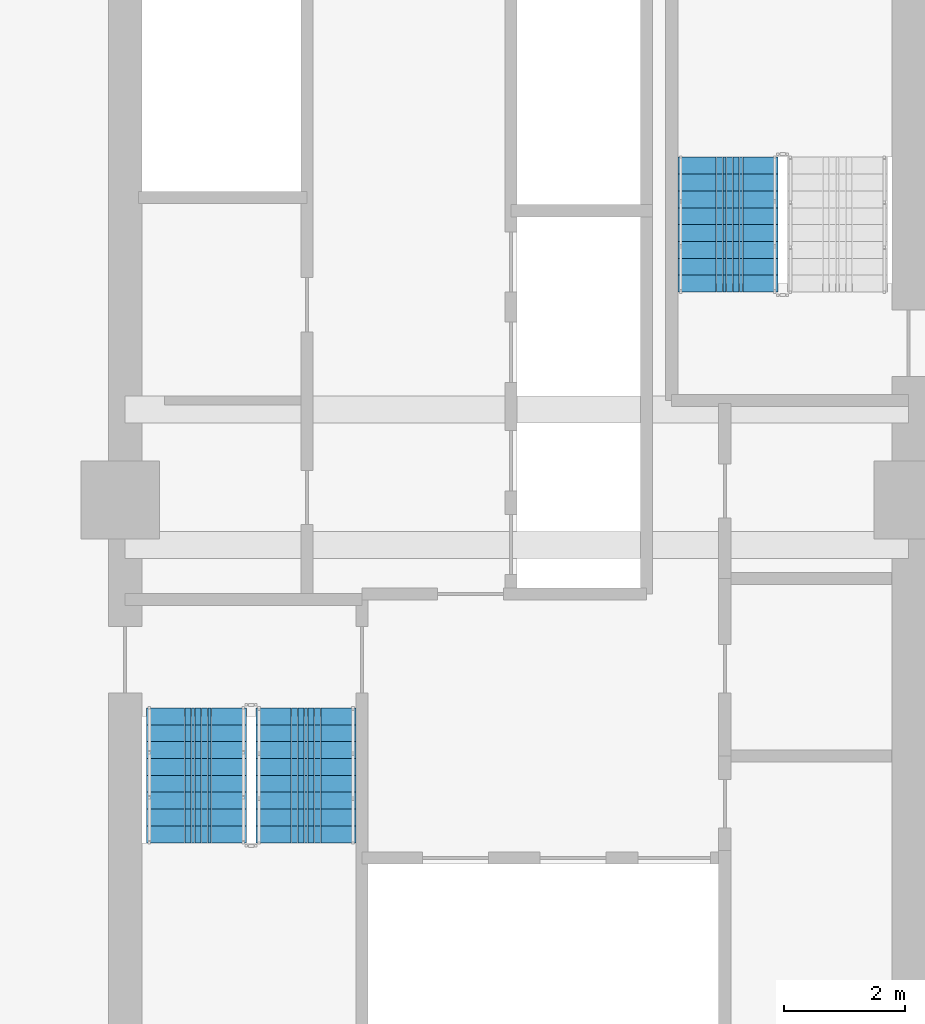
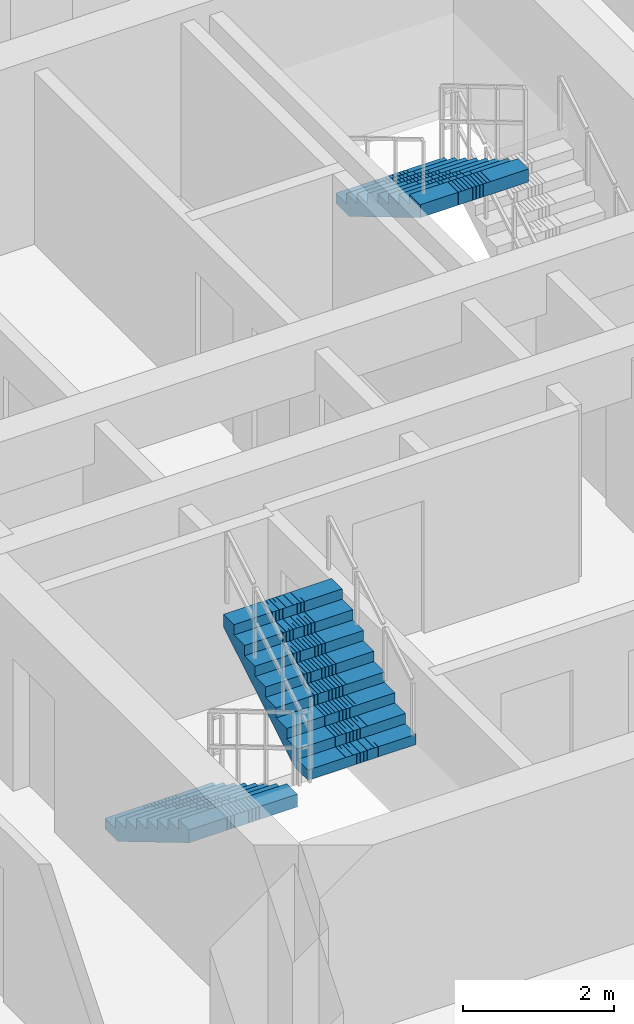
# One storey, part 7 of 12: 3 stair flights, 2 elements without a shape of their own.
"""IFC4 building model written with IfcOpenShell, lengths in metres."""

from ifc_helpers import new_model, si_unit, direction, frame, origin, place, context, subcontext, project, spatial, polyline, outline, extrude, material, type_object, element, aggregate, save


model = new_model("IFC4")

# Units and contexts
model_context = context("Model", 3, precision=1e-05, world=origin(), true_north=direction((0.0, 1.0)))
body_context = subcontext(model_context, "Body", "Model", "MODEL_VIEW")
ifc_project = project(units=[si_unit("LENGTHUNIT", "METRE"), si_unit("AREAUNIT", "SQUARE_METRE"), si_unit("VOLUMEUNIT", "CUBIC_METRE"), si_unit("PLANEANGLEUNIT", "RADIAN"), si_unit("MASSUNIT", "GRAM", prefix="KILO")], contexts=[model_context])

# Site, building, storey
site_placement = place(None, origin())
site = spatial("IfcSite", under=ifc_project, at=site_placement, CompositionType="ELEMENT")
building_placement = place(site_placement, origin())
building = spatial("IfcBuilding", under=site, at=building_placement, Name="Saelheon Loggia Tower", CompositionType="ELEMENT")
storey_placement = place(building_placement, frame((0.0, 0.0, 101.85009765625)))
storey = spatial("IfcBuildingStorey", under=building, at=storey_placement, Name="L32", CompositionType="ELEMENT", Elevation=101.85009765625)

# Stair, stair flights
ifc_material = material(Name="Concrete C40/50", Category="concrete")
stair_type = type_object("IfcStairType", Name="Stair_Escape_Core", PredefinedType="HALF_TURN_STAIR", material=ifc_material)
stair_1_placement = place(storey_placement, origin())
stair_1 = element("IfcStair", 1, at=stair_1_placement, inside=storey, type_object=stair_type, Name="L32 Special Escape Stair ST1", PredefinedType="HALF_TURN_STAIR")
stair_flight_type = type_object("IfcStairFlightType", Name="StairFlight_Tower_1660", PredefinedType="STRAIGHT", material=ifc_material)
stair_flight_1_placement = place(storey_placement, frame((32.679931640625, 23.550048828125, 0.0), z_axis=(0.0, 0.0, 1.0), x_axis=(0.0, -1.0, 0.0)))
stair_flight_1 = element("IfcStairFlight", 2, at=stair_flight_1_placement, type_object=stair_flight_type, Name="ST1 flight 1", NumberOfRisers=9, NumberOfTreads=8, PredefinedType="STRAIGHT", RiserHeight=0.166666667, TreadLength=0.28, context=body_context, shape_type="SweptSolid", body=[
    extrude(outline(polyline([(0.0, 0.0), (0.0, 0.166748046875), (0.280029296875, 0.166748046875), (0.280029296875, 0.333251953125), (0.56005859375, 0.333251953125), (0.56005859375, 0.5), (0.840087890625, 0.5), (0.840087890625, 0.666748046875), (1.1201171875, 0.666748046875), (1.1201171875, 0.833251953125), (1.39990234375, 0.833251953125), (1.39990234375, 1.0), (1.679931640625, 1.0), (1.679931640625, 1.166748046875), (1.9599609375, 1.166748046875), (1.9599609375, 1.333251953125), (2.239990234375, 1.333251953125), (2.239990234375, 1.5), (2.239990234375, 1.1240234375), (0.351806640625, 0.0), (0.0, 0.0)])), frame((0.0, -0.2490234375, 0.0), z_axis=(0.0, -1.0, 0.0), x_axis=(1.0, 0.0, 0.0)), (0.0, 0.0, 1.0), 0.5810546875),
    extrude(outline(polyline([(0.0, 0.0), (0.0, 0.166748046875), (0.280029296875, 0.166748046875), (0.280029296875, 0.333251953125), (0.56005859375, 0.333251953125), (0.56005859375, 0.5), (0.840087890625, 0.5), (0.840087890625, 0.666748046875), (1.1201171875, 0.666748046875), (1.1201171875, 0.833251953125), (1.39990234375, 0.833251953125), (1.39990234375, 1.0), (1.679931640625, 1.0), (1.679931640625, 1.166748046875), (1.9599609375, 1.166748046875), (1.9599609375, 1.333251953125), (2.239990234375, 1.333251953125), (2.239990234375, 1.5), (2.239990234375, 1.1240234375), (0.351806640625, 0.0), (0.0, 0.0)])), frame((0.0, -0.194091796875, 0.0), z_axis=(0.0, -1.0, 0.0), x_axis=(1.0, 0.0, 0.0)), (0.0, 0.0, 1.0), 0.0498046875),
    extrude(outline(polyline([(0.0, 0.0), (0.0, 0.166748046875), (0.280029296875, 0.166748046875), (0.280029296875, 0.333251953125), (0.56005859375, 0.333251953125), (0.56005859375, 0.5), (0.840087890625, 0.5), (0.840087890625, 0.666748046875), (1.1201171875, 0.666748046875), (1.1201171875, 0.833251953125), (1.39990234375, 0.833251953125), (1.39990234375, 1.0), (1.679931640625, 1.0), (1.679931640625, 1.166748046875), (1.9599609375, 1.166748046875), (1.9599609375, 1.333251953125), (2.239990234375, 1.333251953125), (2.239990234375, 1.5), (2.239990234375, 1.1240234375), (0.351806640625, 0.0), (0.0, 0.0)])), frame((0.0, -0.139404296875, 0.0), z_axis=(0.0, -1.0, 0.0), x_axis=(1.0, 0.0, 0.0)), (0.0, 0.0, 1.0), 0.0498046875),
    extrude(outline(polyline([(0.0, 0.0), (0.0, 0.166748046875), (0.280029296875, 0.166748046875), (0.280029296875, 0.333251953125), (0.56005859375, 0.333251953125), (0.56005859375, 0.5), (0.840087890625, 0.5), (0.840087890625, 0.666748046875), (1.1201171875, 0.666748046875), (1.1201171875, 0.833251953125), (1.39990234375, 0.833251953125), (1.39990234375, 1.0), (1.679931640625, 1.0), (1.679931640625, 1.166748046875), (1.9599609375, 1.166748046875), (1.9599609375, 1.333251953125), (2.239990234375, 1.333251953125), (2.239990234375, 1.5), (2.239990234375, 1.1240234375), (0.351806640625, 0.0), (0.0, 0.0)])), frame((0.0, -0.084716796875, 0.0), z_axis=(0.0, -1.0, 0.0), x_axis=(1.0, 0.0, 0.0)), (0.0, 0.0, 1.0), 0.0498046875),
    extrude(outline(polyline([(0.0, 0.0), (0.0, 0.166748046875), (0.280029296875, 0.166748046875), (0.280029296875, 0.333251953125), (0.56005859375, 0.333251953125), (0.56005859375, 0.5), (0.840087890625, 0.5), (0.840087890625, 0.666748046875), (1.1201171875, 0.666748046875), (1.1201171875, 0.833251953125), (1.39990234375, 0.833251953125), (1.39990234375, 1.0), (1.679931640625, 1.0), (1.679931640625, 1.166748046875), (1.9599609375, 1.166748046875), (1.9599609375, 1.333251953125), (2.239990234375, 1.333251953125), (2.239990234375, 1.5), (2.239990234375, 1.1240234375), (0.351806640625, 0.0), (0.0, 0.0)])), frame((0.0, -0.02978515625, 0.0), z_axis=(0.0, -1.0, 0.0), x_axis=(1.0, 0.0, 0.0)), (0.0, 0.0, 1.0), 0.0498046875),
    extrude(outline(polyline([(0.0, 0.0), (0.0, 0.166748046875), (0.280029296875, 0.166748046875), (0.280029296875, 0.333251953125), (0.56005859375, 0.333251953125), (0.56005859375, 0.5), (0.840087890625, 0.5), (0.840087890625, 0.666748046875), (1.1201171875, 0.666748046875), (1.1201171875, 0.833251953125), (1.39990234375, 0.833251953125), (1.39990234375, 1.0), (1.679931640625, 1.0), (1.679931640625, 1.166748046875), (1.9599609375, 1.166748046875), (1.9599609375, 1.333251953125), (2.239990234375, 1.333251953125), (2.239990234375, 1.5), (2.239990234375, 1.1240234375), (0.351806640625, 0.0), (0.0, 0.0)])), frame((0.0, 0.02490234375, 0.0), z_axis=(0.0, -1.0, 0.0), x_axis=(1.0, 0.0, 0.0)), (0.0, 0.0, 1.0), 0.0498046875),
    extrude(outline(polyline([(0.0, 0.0), (0.0, 0.166748046875), (0.280029296875, 0.166748046875), (0.280029296875, 0.333251953125), (0.56005859375, 0.333251953125), (0.56005859375, 0.5), (0.840087890625, 0.5), (0.840087890625, 0.666748046875), (1.1201171875, 0.666748046875), (1.1201171875, 0.833251953125), (1.39990234375, 0.833251953125), (1.39990234375, 1.0), (1.679931640625, 1.0), (1.679931640625, 1.166748046875), (1.9599609375, 1.166748046875), (1.9599609375, 1.333251953125), (2.239990234375, 1.333251953125), (2.239990234375, 1.5), (2.239990234375, 1.1240234375), (0.351806640625, 0.0), (0.0, 0.0)])), frame((0.0, 0.07958984375, 0.0), z_axis=(0.0, -1.0, 0.0), x_axis=(1.0, 0.0, 0.0)), (0.0, 0.0, 1.0), 0.0498046875),
    extrude(outline(polyline([(0.0, 0.0), (0.0, 0.166748046875), (0.280029296875, 0.166748046875), (0.280029296875, 0.333251953125), (0.56005859375, 0.333251953125), (0.56005859375, 0.5), (0.840087890625, 0.5), (0.840087890625, 0.666748046875), (1.1201171875, 0.666748046875), (1.1201171875, 0.833251953125), (1.39990234375, 0.833251953125), (1.39990234375, 1.0), (1.679931640625, 1.0), (1.679931640625, 1.166748046875), (1.9599609375, 1.166748046875), (1.9599609375, 1.333251953125), (2.239990234375, 1.333251953125), (2.239990234375, 1.5), (2.239990234375, 1.1240234375), (0.351806640625, 0.0), (0.0, 0.0)])), frame((0.0, 0.134521484375, 0.0), z_axis=(0.0, -1.0, 0.0), x_axis=(1.0, 0.0, 0.0)), (0.0, 0.0, 1.0), 0.0498046875),
    extrude(outline(polyline([(0.0, 0.0), (0.0, 0.166748046875), (0.280029296875, 0.166748046875), (0.280029296875, 0.333251953125), (0.56005859375, 0.333251953125), (0.56005859375, 0.5), (0.840087890625, 0.5), (0.840087890625, 0.666748046875), (1.1201171875, 0.666748046875), (1.1201171875, 0.833251953125), (1.39990234375, 0.833251953125), (1.39990234375, 1.0), (1.679931640625, 1.0), (1.679931640625, 1.166748046875), (1.9599609375, 1.166748046875), (1.9599609375, 1.333251953125), (2.239990234375, 1.333251953125), (2.239990234375, 1.5), (2.239990234375, 1.1240234375), (0.351806640625, 0.0), (0.0, 0.0)])), frame((0.0, 0.189208984375, 0.0), z_axis=(0.0, -1.0, 0.0), x_axis=(1.0, 0.0, 0.0)), (0.0, 0.0, 1.0), 0.0498046875),
    extrude(outline(polyline([(0.0, 0.0), (0.0, 0.166748046875), (0.280029296875, 0.166748046875), (0.280029296875, 0.333251953125), (0.56005859375, 0.333251953125), (0.56005859375, 0.5), (0.840087890625, 0.5), (0.840087890625, 0.666748046875), (1.1201171875, 0.666748046875), (1.1201171875, 0.833251953125), (1.39990234375, 0.833251953125), (1.39990234375, 1.0), (1.679931640625, 1.0), (1.679931640625, 1.166748046875), (1.9599609375, 1.166748046875), (1.9599609375, 1.333251953125), (2.239990234375, 1.333251953125), (2.239990234375, 1.5), (2.239990234375, 1.1240234375), (0.351806640625, 0.0), (0.0, 0.0)])), frame((0.0, 0.243896484375, 0.0), z_axis=(0.0, -1.0, 0.0), x_axis=(1.0, 0.0, 0.0)), (0.0, 0.0, 1.0), 0.0498046875),
    extrude(outline(polyline([(0.0, 0.0), (0.0, 0.166748046875), (0.280029296875, 0.166748046875), (0.280029296875, 0.333251953125), (0.56005859375, 0.333251953125), (0.56005859375, 0.5), (0.840087890625, 0.5), (0.840087890625, 0.666748046875), (1.1201171875, 0.666748046875), (1.1201171875, 0.833251953125), (1.39990234375, 0.833251953125), (1.39990234375, 1.0), (1.679931640625, 1.0), (1.679931640625, 1.166748046875), (1.9599609375, 1.166748046875), (1.9599609375, 1.333251953125), (2.239990234375, 1.333251953125), (2.239990234375, 1.5), (2.239990234375, 1.1240234375), (0.351806640625, 0.0), (0.0, 0.0)])), frame((0.0, 0.830078125, 0.0), z_axis=(0.0, -1.0, 0.0), x_axis=(1.0, 0.0, 0.0)), (0.0, 0.0, 1.0), 0.5810546875),
])
stair_flight_2_placement = place(storey_placement, frame((34.5, 21.31005859375, 1.5), z_axis=(0.0, 0.0, 1.0), x_axis=(0.0, 1.0, 0.0)))
stair_flight_2 = element("IfcStairFlight", 3, at=stair_flight_2_placement, type_object=stair_flight_type, Name="ST1 flight 2", NumberOfRisers=9, NumberOfTreads=8, PredefinedType="STRAIGHT", RiserHeight=0.166666667, TreadLength=0.28, context=body_context, shape_type="SweptSolid", body=[
    extrude(outline(polyline([(0.0, 0.0), (0.0, 0.166748046875), (0.280029296875, 0.166748046875), (0.280029296875, 0.333251953125), (0.56005859375, 0.333251953125), (0.56005859375, 0.5), (0.840087890625, 0.5), (0.840087890625, 0.666748046875), (1.1201171875, 0.666748046875), (1.1201171875, 0.833251953125), (1.39990234375, 0.833251953125), (1.39990234375, 1.0), (1.679931640625, 1.0), (1.679931640625, 1.166748046875), (1.9599609375, 1.166748046875), (1.9599609375, 1.333251953125), (2.239990234375, 1.333251953125), (2.239990234375, 1.5), (2.239990234375, 1.1240234375), (0.351806640625, 0.0), (0.0, 0.0)])), frame((0.0, -0.2490234375, 0.0), z_axis=(0.0, -1.0, 0.0), x_axis=(1.0, 0.0, 0.0)), (0.0, 0.0, 1.0), 0.5810546875),
    extrude(outline(polyline([(0.0, 0.0), (0.0, 0.166748046875), (0.280029296875, 0.166748046875), (0.280029296875, 0.333251953125), (0.56005859375, 0.333251953125), (0.56005859375, 0.5), (0.840087890625, 0.5), (0.840087890625, 0.666748046875), (1.1201171875, 0.666748046875), (1.1201171875, 0.833251953125), (1.39990234375, 0.833251953125), (1.39990234375, 1.0), (1.679931640625, 1.0), (1.679931640625, 1.166748046875), (1.9599609375, 1.166748046875), (1.9599609375, 1.333251953125), (2.239990234375, 1.333251953125), (2.239990234375, 1.5), (2.239990234375, 1.1240234375), (0.351806640625, 0.0), (0.0, 0.0)])), frame((0.0, -0.194091796875, 0.0), z_axis=(0.0, -1.0, 0.0), x_axis=(1.0, 0.0, 0.0)), (0.0, 0.0, 1.0), 0.0498046875),
    extrude(outline(polyline([(0.0, 0.0), (0.0, 0.166748046875), (0.280029296875, 0.166748046875), (0.280029296875, 0.333251953125), (0.56005859375, 0.333251953125), (0.56005859375, 0.5), (0.840087890625, 0.5), (0.840087890625, 0.666748046875), (1.1201171875, 0.666748046875), (1.1201171875, 0.833251953125), (1.39990234375, 0.833251953125), (1.39990234375, 1.0), (1.679931640625, 1.0), (1.679931640625, 1.166748046875), (1.9599609375, 1.166748046875), (1.9599609375, 1.333251953125), (2.239990234375, 1.333251953125), (2.239990234375, 1.5), (2.239990234375, 1.1240234375), (0.351806640625, 0.0), (0.0, 0.0)])), frame((0.0, -0.139404296875, 0.0), z_axis=(0.0, -1.0, 0.0), x_axis=(1.0, 0.0, 0.0)), (0.0, 0.0, 1.0), 0.0498046875),
    extrude(outline(polyline([(0.0, 0.0), (0.0, 0.166748046875), (0.280029296875, 0.166748046875), (0.280029296875, 0.333251953125), (0.56005859375, 0.333251953125), (0.56005859375, 0.5), (0.840087890625, 0.5), (0.840087890625, 0.666748046875), (1.1201171875, 0.666748046875), (1.1201171875, 0.833251953125), (1.39990234375, 0.833251953125), (1.39990234375, 1.0), (1.679931640625, 1.0), (1.679931640625, 1.166748046875), (1.9599609375, 1.166748046875), (1.9599609375, 1.333251953125), (2.239990234375, 1.333251953125), (2.239990234375, 1.5), (2.239990234375, 1.1240234375), (0.351806640625, 0.0), (0.0, 0.0)])), frame((0.0, -0.084716796875, 0.0), z_axis=(0.0, -1.0, 0.0), x_axis=(1.0, 0.0, 0.0)), (0.0, 0.0, 1.0), 0.0498046875),
    extrude(outline(polyline([(0.0, 0.0), (0.0, 0.166748046875), (0.280029296875, 0.166748046875), (0.280029296875, 0.333251953125), (0.56005859375, 0.333251953125), (0.56005859375, 0.5), (0.840087890625, 0.5), (0.840087890625, 0.666748046875), (1.1201171875, 0.666748046875), (1.1201171875, 0.833251953125), (1.39990234375, 0.833251953125), (1.39990234375, 1.0), (1.679931640625, 1.0), (1.679931640625, 1.166748046875), (1.9599609375, 1.166748046875), (1.9599609375, 1.333251953125), (2.239990234375, 1.333251953125), (2.239990234375, 1.5), (2.239990234375, 1.1240234375), (0.351806640625, 0.0), (0.0, 0.0)])), frame((0.0, -0.02978515625, 0.0), z_axis=(0.0, -1.0, 0.0), x_axis=(1.0, 0.0, 0.0)), (0.0, 0.0, 1.0), 0.0498046875),
    extrude(outline(polyline([(0.0, 0.0), (0.0, 0.166748046875), (0.280029296875, 0.166748046875), (0.280029296875, 0.333251953125), (0.56005859375, 0.333251953125), (0.56005859375, 0.5), (0.840087890625, 0.5), (0.840087890625, 0.666748046875), (1.1201171875, 0.666748046875), (1.1201171875, 0.833251953125), (1.39990234375, 0.833251953125), (1.39990234375, 1.0), (1.679931640625, 1.0), (1.679931640625, 1.166748046875), (1.9599609375, 1.166748046875), (1.9599609375, 1.333251953125), (2.239990234375, 1.333251953125), (2.239990234375, 1.5), (2.239990234375, 1.1240234375), (0.351806640625, 0.0), (0.0, 0.0)])), frame((0.0, 0.02490234375, 0.0), z_axis=(0.0, -1.0, 0.0), x_axis=(1.0, 0.0, 0.0)), (0.0, 0.0, 1.0), 0.0498046875),
    extrude(outline(polyline([(0.0, 0.0), (0.0, 0.166748046875), (0.280029296875, 0.166748046875), (0.280029296875, 0.333251953125), (0.56005859375, 0.333251953125), (0.56005859375, 0.5), (0.840087890625, 0.5), (0.840087890625, 0.666748046875), (1.1201171875, 0.666748046875), (1.1201171875, 0.833251953125), (1.39990234375, 0.833251953125), (1.39990234375, 1.0), (1.679931640625, 1.0), (1.679931640625, 1.166748046875), (1.9599609375, 1.166748046875), (1.9599609375, 1.333251953125), (2.239990234375, 1.333251953125), (2.239990234375, 1.5), (2.239990234375, 1.1240234375), (0.351806640625, 0.0), (0.0, 0.0)])), frame((0.0, 0.07958984375, 0.0), z_axis=(0.0, -1.0, 0.0), x_axis=(1.0, 0.0, 0.0)), (0.0, 0.0, 1.0), 0.0498046875),
    extrude(outline(polyline([(0.0, 0.0), (0.0, 0.166748046875), (0.280029296875, 0.166748046875), (0.280029296875, 0.333251953125), (0.56005859375, 0.333251953125), (0.56005859375, 0.5), (0.840087890625, 0.5), (0.840087890625, 0.666748046875), (1.1201171875, 0.666748046875), (1.1201171875, 0.833251953125), (1.39990234375, 0.833251953125), (1.39990234375, 1.0), (1.679931640625, 1.0), (1.679931640625, 1.166748046875), (1.9599609375, 1.166748046875), (1.9599609375, 1.333251953125), (2.239990234375, 1.333251953125), (2.239990234375, 1.5), (2.239990234375, 1.1240234375), (0.351806640625, 0.0), (0.0, 0.0)])), frame((0.0, 0.134521484375, 0.0), z_axis=(0.0, -1.0, 0.0), x_axis=(1.0, 0.0, 0.0)), (0.0, 0.0, 1.0), 0.0498046875),
    extrude(outline(polyline([(0.0, 0.0), (0.0, 0.166748046875), (0.280029296875, 0.166748046875), (0.280029296875, 0.333251953125), (0.56005859375, 0.333251953125), (0.56005859375, 0.5), (0.840087890625, 0.5), (0.840087890625, 0.666748046875), (1.1201171875, 0.666748046875), (1.1201171875, 0.833251953125), (1.39990234375, 0.833251953125), (1.39990234375, 1.0), (1.679931640625, 1.0), (1.679931640625, 1.166748046875), (1.9599609375, 1.166748046875), (1.9599609375, 1.333251953125), (2.239990234375, 1.333251953125), (2.239990234375, 1.5), (2.239990234375, 1.1240234375), (0.351806640625, 0.0), (0.0, 0.0)])), frame((0.0, 0.189208984375, 0.0), z_axis=(0.0, -1.0, 0.0), x_axis=(1.0, 0.0, 0.0)), (0.0, 0.0, 1.0), 0.0498046875),
    extrude(outline(polyline([(0.0, 0.0), (0.0, 0.166748046875), (0.280029296875, 0.166748046875), (0.280029296875, 0.333251953125), (0.56005859375, 0.333251953125), (0.56005859375, 0.5), (0.840087890625, 0.5), (0.840087890625, 0.666748046875), (1.1201171875, 0.666748046875), (1.1201171875, 0.833251953125), (1.39990234375, 0.833251953125), (1.39990234375, 1.0), (1.679931640625, 1.0), (1.679931640625, 1.166748046875), (1.9599609375, 1.166748046875), (1.9599609375, 1.333251953125), (2.239990234375, 1.333251953125), (2.239990234375, 1.5), (2.239990234375, 1.1240234375), (0.351806640625, 0.0), (0.0, 0.0)])), frame((0.0, 0.243896484375, 0.0), z_axis=(0.0, -1.0, 0.0), x_axis=(1.0, 0.0, 0.0)), (0.0, 0.0, 1.0), 0.0498046875),
    extrude(outline(polyline([(0.0, 0.0), (0.0, 0.166748046875), (0.280029296875, 0.166748046875), (0.280029296875, 0.333251953125), (0.56005859375, 0.333251953125), (0.56005859375, 0.5), (0.840087890625, 0.5), (0.840087890625, 0.666748046875), (1.1201171875, 0.666748046875), (1.1201171875, 0.833251953125), (1.39990234375, 0.833251953125), (1.39990234375, 1.0), (1.679931640625, 1.0), (1.679931640625, 1.166748046875), (1.9599609375, 1.166748046875), (1.9599609375, 1.333251953125), (2.239990234375, 1.333251953125), (2.239990234375, 1.5), (2.239990234375, 1.1240234375), (0.351806640625, 0.0), (0.0, 0.0)])), frame((0.0, 0.830078125, 0.0), z_axis=(0.0, -1.0, 0.0), x_axis=(1.0, 0.0, 0.0)), (0.0, 0.0, 1.0), 0.5810546875),
])
aggregate(stair_1, [stair_flight_1, stair_flight_2])

# Stair, stair flight
stair_2_placement = place(storey_placement, origin())
stair_2 = element("IfcStair", 4, at=stair_2_placement, inside=storey, type_object=stair_type, Name="L32 Special Escape Stair ST2", PredefinedType="HALF_TURN_STAIR")
stair_flight_3_placement = place(storey_placement, frame((41.5, 32.68994140625, 1.5), z_axis=(0.0, 0.0, 1.0), x_axis=(0.0, -1.0, 0.0)))
stair_flight_3 = element("IfcStairFlight", 5, at=stair_flight_3_placement, type_object=stair_flight_type, Name="ST2 flight 2", NumberOfRisers=9, NumberOfTreads=8, PredefinedType="STRAIGHT", RiserHeight=0.166666667, TreadLength=0.28, context=body_context, shape_type="SweptSolid", body=[
    extrude(outline(polyline([(0.0, 0.0), (0.0, 0.166748046875), (0.280029296875, 0.166748046875), (0.280029296875, 0.333251953125), (0.56005859375, 0.333251953125), (0.56005859375, 0.5), (0.840087890625, 0.5), (0.840087890625, 0.666748046875), (1.1201171875, 0.666748046875), (1.1201171875, 0.833251953125), (1.39990234375, 0.833251953125), (1.39990234375, 1.0), (1.679931640625, 1.0), (1.679931640625, 1.166748046875), (1.9599609375, 1.166748046875), (1.9599609375, 1.333251953125), (2.239990234375, 1.333251953125), (2.239990234375, 1.5), (2.239990234375, 1.1240234375), (0.351806640625, 0.0), (0.0, 0.0)])), frame((0.0, -0.2490234375, 0.0), z_axis=(0.0, -1.0, 0.0), x_axis=(1.0, 0.0, 0.0)), (0.0, 0.0, 1.0), 0.5810546875),
    extrude(outline(polyline([(0.0, 0.0), (0.0, 0.166748046875), (0.280029296875, 0.166748046875), (0.280029296875, 0.333251953125), (0.56005859375, 0.333251953125), (0.56005859375, 0.5), (0.840087890625, 0.5), (0.840087890625, 0.666748046875), (1.1201171875, 0.666748046875), (1.1201171875, 0.833251953125), (1.39990234375, 0.833251953125), (1.39990234375, 1.0), (1.679931640625, 1.0), (1.679931640625, 1.166748046875), (1.9599609375, 1.166748046875), (1.9599609375, 1.333251953125), (2.239990234375, 1.333251953125), (2.239990234375, 1.5), (2.239990234375, 1.1240234375), (0.351806640625, 0.0), (0.0, 0.0)])), frame((0.0, -0.194091796875, 0.0), z_axis=(0.0, -1.0, 0.0), x_axis=(1.0, 0.0, 0.0)), (0.0, 0.0, 1.0), 0.0498046875),
    extrude(outline(polyline([(0.0, 0.0), (0.0, 0.166748046875), (0.280029296875, 0.166748046875), (0.280029296875, 0.333251953125), (0.56005859375, 0.333251953125), (0.56005859375, 0.5), (0.840087890625, 0.5), (0.840087890625, 0.666748046875), (1.1201171875, 0.666748046875), (1.1201171875, 0.833251953125), (1.39990234375, 0.833251953125), (1.39990234375, 1.0), (1.679931640625, 1.0), (1.679931640625, 1.166748046875), (1.9599609375, 1.166748046875), (1.9599609375, 1.333251953125), (2.239990234375, 1.333251953125), (2.239990234375, 1.5), (2.239990234375, 1.1240234375), (0.351806640625, 0.0), (0.0, 0.0)])), frame((0.0, -0.139404296875, 0.0), z_axis=(0.0, -1.0, 0.0), x_axis=(1.0, 0.0, 0.0)), (0.0, 0.0, 1.0), 0.0498046875),
    extrude(outline(polyline([(0.0, 0.0), (0.0, 0.166748046875), (0.280029296875, 0.166748046875), (0.280029296875, 0.333251953125), (0.56005859375, 0.333251953125), (0.56005859375, 0.5), (0.840087890625, 0.5), (0.840087890625, 0.666748046875), (1.1201171875, 0.666748046875), (1.1201171875, 0.833251953125), (1.39990234375, 0.833251953125), (1.39990234375, 1.0), (1.679931640625, 1.0), (1.679931640625, 1.166748046875), (1.9599609375, 1.166748046875), (1.9599609375, 1.333251953125), (2.239990234375, 1.333251953125), (2.239990234375, 1.5), (2.239990234375, 1.1240234375), (0.351806640625, 0.0), (0.0, 0.0)])), frame((0.0, -0.084716796875, 0.0), z_axis=(0.0, -1.0, 0.0), x_axis=(1.0, 0.0, 0.0)), (0.0, 0.0, 1.0), 0.0498046875),
    extrude(outline(polyline([(0.0, 0.0), (0.0, 0.166748046875), (0.280029296875, 0.166748046875), (0.280029296875, 0.333251953125), (0.56005859375, 0.333251953125), (0.56005859375, 0.5), (0.840087890625, 0.5), (0.840087890625, 0.666748046875), (1.1201171875, 0.666748046875), (1.1201171875, 0.833251953125), (1.39990234375, 0.833251953125), (1.39990234375, 1.0), (1.679931640625, 1.0), (1.679931640625, 1.166748046875), (1.9599609375, 1.166748046875), (1.9599609375, 1.333251953125), (2.239990234375, 1.333251953125), (2.239990234375, 1.5), (2.239990234375, 1.1240234375), (0.351806640625, 0.0), (0.0, 0.0)])), frame((0.0, -0.02978515625, 0.0), z_axis=(0.0, -1.0, 0.0), x_axis=(1.0, 0.0, 0.0)), (0.0, 0.0, 1.0), 0.0498046875),
    extrude(outline(polyline([(0.0, 0.0), (0.0, 0.166748046875), (0.280029296875, 0.166748046875), (0.280029296875, 0.333251953125), (0.56005859375, 0.333251953125), (0.56005859375, 0.5), (0.840087890625, 0.5), (0.840087890625, 0.666748046875), (1.1201171875, 0.666748046875), (1.1201171875, 0.833251953125), (1.39990234375, 0.833251953125), (1.39990234375, 1.0), (1.679931640625, 1.0), (1.679931640625, 1.166748046875), (1.9599609375, 1.166748046875), (1.9599609375, 1.333251953125), (2.239990234375, 1.333251953125), (2.239990234375, 1.5), (2.239990234375, 1.1240234375), (0.351806640625, 0.0), (0.0, 0.0)])), frame((0.0, 0.02490234375, 0.0), z_axis=(0.0, -1.0, 0.0), x_axis=(1.0, 0.0, 0.0)), (0.0, 0.0, 1.0), 0.0498046875),
    extrude(outline(polyline([(0.0, 0.0), (0.0, 0.166748046875), (0.280029296875, 0.166748046875), (0.280029296875, 0.333251953125), (0.56005859375, 0.333251953125), (0.56005859375, 0.5), (0.840087890625, 0.5), (0.840087890625, 0.666748046875), (1.1201171875, 0.666748046875), (1.1201171875, 0.833251953125), (1.39990234375, 0.833251953125), (1.39990234375, 1.0), (1.679931640625, 1.0), (1.679931640625, 1.166748046875), (1.9599609375, 1.166748046875), (1.9599609375, 1.333251953125), (2.239990234375, 1.333251953125), (2.239990234375, 1.5), (2.239990234375, 1.1240234375), (0.351806640625, 0.0), (0.0, 0.0)])), frame((0.0, 0.07958984375, 0.0), z_axis=(0.0, -1.0, 0.0), x_axis=(1.0, 0.0, 0.0)), (0.0, 0.0, 1.0), 0.0498046875),
    extrude(outline(polyline([(0.0, 0.0), (0.0, 0.166748046875), (0.280029296875, 0.166748046875), (0.280029296875, 0.333251953125), (0.56005859375, 0.333251953125), (0.56005859375, 0.5), (0.840087890625, 0.5), (0.840087890625, 0.666748046875), (1.1201171875, 0.666748046875), (1.1201171875, 0.833251953125), (1.39990234375, 0.833251953125), (1.39990234375, 1.0), (1.679931640625, 1.0), (1.679931640625, 1.166748046875), (1.9599609375, 1.166748046875), (1.9599609375, 1.333251953125), (2.239990234375, 1.333251953125), (2.239990234375, 1.5), (2.239990234375, 1.1240234375), (0.351806640625, 0.0), (0.0, 0.0)])), frame((0.0, 0.134521484375, 0.0), z_axis=(0.0, -1.0, 0.0), x_axis=(1.0, 0.0, 0.0)), (0.0, 0.0, 1.0), 0.0498046875),
    extrude(outline(polyline([(0.0, 0.0), (0.0, 0.166748046875), (0.280029296875, 0.166748046875), (0.280029296875, 0.333251953125), (0.56005859375, 0.333251953125), (0.56005859375, 0.5), (0.840087890625, 0.5), (0.840087890625, 0.666748046875), (1.1201171875, 0.666748046875), (1.1201171875, 0.833251953125), (1.39990234375, 0.833251953125), (1.39990234375, 1.0), (1.679931640625, 1.0), (1.679931640625, 1.166748046875), (1.9599609375, 1.166748046875), (1.9599609375, 1.333251953125), (2.239990234375, 1.333251953125), (2.239990234375, 1.5), (2.239990234375, 1.1240234375), (0.351806640625, 0.0), (0.0, 0.0)])), frame((0.0, 0.189208984375, 0.0), z_axis=(0.0, -1.0, 0.0), x_axis=(1.0, 0.0, 0.0)), (0.0, 0.0, 1.0), 0.0498046875),
    extrude(outline(polyline([(0.0, 0.0), (0.0, 0.166748046875), (0.280029296875, 0.166748046875), (0.280029296875, 0.333251953125), (0.56005859375, 0.333251953125), (0.56005859375, 0.5), (0.840087890625, 0.5), (0.840087890625, 0.666748046875), (1.1201171875, 0.666748046875), (1.1201171875, 0.833251953125), (1.39990234375, 0.833251953125), (1.39990234375, 1.0), (1.679931640625, 1.0), (1.679931640625, 1.166748046875), (1.9599609375, 1.166748046875), (1.9599609375, 1.333251953125), (2.239990234375, 1.333251953125), (2.239990234375, 1.5), (2.239990234375, 1.1240234375), (0.351806640625, 0.0), (0.0, 0.0)])), frame((0.0, 0.243896484375, 0.0), z_axis=(0.0, -1.0, 0.0), x_axis=(1.0, 0.0, 0.0)), (0.0, 0.0, 1.0), 0.0498046875),
    extrude(outline(polyline([(0.0, 0.0), (0.0, 0.166748046875), (0.280029296875, 0.166748046875), (0.280029296875, 0.333251953125), (0.56005859375, 0.333251953125), (0.56005859375, 0.5), (0.840087890625, 0.5), (0.840087890625, 0.666748046875), (1.1201171875, 0.666748046875), (1.1201171875, 0.833251953125), (1.39990234375, 0.833251953125), (1.39990234375, 1.0), (1.679931640625, 1.0), (1.679931640625, 1.166748046875), (1.9599609375, 1.166748046875), (1.9599609375, 1.333251953125), (2.239990234375, 1.333251953125), (2.239990234375, 1.5), (2.239990234375, 1.1240234375), (0.351806640625, 0.0), (0.0, 0.0)])), frame((0.0, 0.830078125, 0.0), z_axis=(0.0, -1.0, 0.0), x_axis=(1.0, 0.0, 0.0)), (0.0, 0.0, 1.0), 0.5810546875),
])
aggregate(stair_2, [stair_flight_3])

save(model, "model.ifc")
